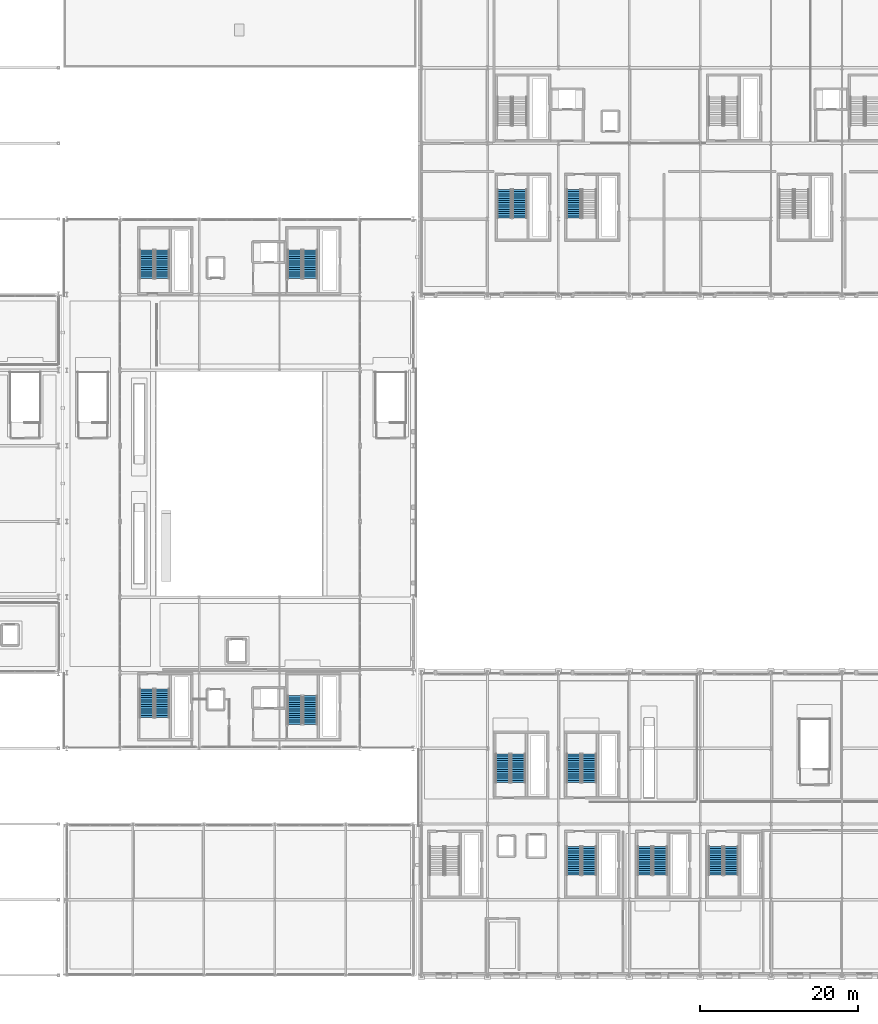
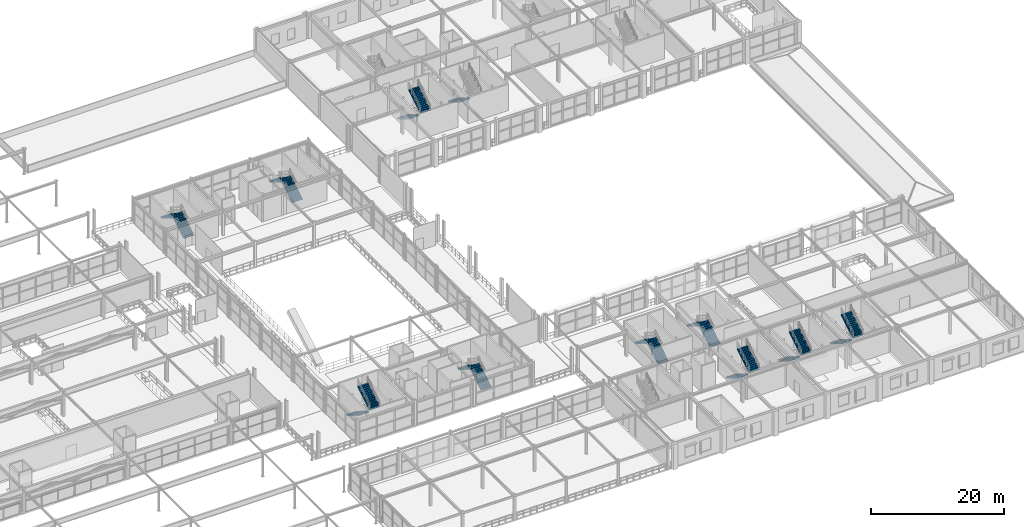
# One storey, part 84 of 125: 21 stair flights, 11 elements without a shape of their own.
"""IFC4 building model written with IfcOpenShell, lengths in metres."""

from ifc_helpers import new_model, si_unit, direction, frame, origin, place, context, subcontext, project, spatial, polyline, outline, extrude, material, type_object, element, aggregate, save


model = new_model("IFC4")

# Units and contexts
model_context = context("Model", 3, precision=1e-05, world=origin(), true_north=direction((0.0, 1.0)))
body_context = subcontext(model_context, "Body", "Model", "MODEL_VIEW")
ifc_project = project(units=[si_unit("LENGTHUNIT", "METRE"), si_unit("AREAUNIT", "SQUARE_METRE"), si_unit("VOLUMEUNIT", "CUBIC_METRE"), si_unit("PLANEANGLEUNIT", "RADIAN"), si_unit("MASSUNIT", "GRAM", prefix="KILO")], contexts=[model_context])

# Site, building, storey
site_placement = place(None, origin())
site = spatial("IfcSite", under=ifc_project, at=site_placement, CompositionType="ELEMENT")
building_placement = place(site_placement, origin())
building = spatial("IfcBuilding", under=site, at=building_placement, Name="Myrtia Square Station", CompositionType="ELEMENT")
storey_placement = place(building_placement, frame((0.0, 0.0, 6.0)))
storey = spatial("IfcBuildingStorey", under=building, at=storey_placement, Name="L01", CompositionType="ELEMENT", Elevation=6.0)

# Stair, stair flights
ifc_material = material(Name="Concrete C35/45", Category="concrete")
stair_type = type_object("IfcStairType", Name="STR-03-28R-1800W", PredefinedType="HALF_TURN_STAIR", material=ifc_material)
stair_1_placement = place(storey_placement, origin())
stair_1 = element("IfcStair", 1, at=stair_1_placement, inside=storey, type_object=stair_type, Name="L01 Core escape stair ST01", PredefinedType="HALF_TURN_STAIR")
stair_flight_type = type_object("IfcStairFlightType", Name="STF-03-14R-1800W", PredefinedType="STRAIGHT", material=ifc_material)
stair_flight_1_placement = place(storey_placement, frame((82.75, 36.35009765625, 0.0), z_axis=(0.0, 0.0, 1.0), x_axis=(0.0, -1.0, 0.0)))
stair_flight_1 = element("IfcStairFlight", 2, at=stair_flight_1_placement, type_object=stair_flight_type, Name="ST01 flight 1", NumberOfRisers=14, NumberOfTreads=13, PredefinedType="STRAIGHT", RiserHeight=0.171428571, TreadLength=0.28, context=body_context, shape_type="SweptSolid", body=[
    extrude(outline(polyline([(0.0, 0.0), (0.0, 0.17138671875), (0.280029296875, 0.17138671875), (0.280029296875, 0.3427734375), (0.56005859375, 0.3427734375), (0.56005859375, 0.514404296875), (0.840087890625, 0.514404296875), (0.840087890625, 0.685791015625), (1.1201171875, 0.685791015625), (1.1201171875, 0.857177734375), (1.39990234375, 0.857177734375), (1.39990234375, 1.028564453125), (1.679931640625, 1.028564453125), (1.679931640625, 1.199951171875), (1.9599609375, 1.199951171875), (1.9599609375, 1.371337890625), (2.239990234375, 1.371337890625), (2.239990234375, 1.54296875), (2.52001953125, 1.54296875), (2.52001953125, 1.71435546875), (2.800048828125, 1.71435546875), (2.800048828125, 1.8857421875), (3.080078125, 1.8857421875), (3.080078125, 2.05712890625), (3.360107421875, 2.05712890625), (3.360107421875, 2.228515625), (3.639892578125, 2.228515625), (3.639892578125, 2.39990234375), (3.639892578125, 2.052734375), (0.287109375, 0.0), (0.0, 0.0)])), frame((0.0, 0.89990234375, 0.0), z_axis=(0.0, -1.0, 0.0), x_axis=(1.0, 0.0, 0.0)), (0.0, 0.0, 1.0), 1.800048828125),
])
stair_flight_2_placement = place(storey_placement, frame((84.7099609375, 32.7099609375, 2.39990234375), z_axis=(0.0, 0.0, 1.0), x_axis=(0.0, 1.0, 0.0)))
stair_flight_2 = element("IfcStairFlight", 3, at=stair_flight_2_placement, type_object=stair_flight_type, Name="ST01 flight 2", NumberOfRisers=14, NumberOfTreads=13, PredefinedType="STRAIGHT", RiserHeight=0.171428571, TreadLength=0.28, context=body_context, shape_type="SweptSolid", body=[
    extrude(outline(polyline([(0.0, 0.0), (0.0, 0.17138671875), (0.280029296875, 0.17138671875), (0.280029296875, 0.3427734375), (0.56005859375, 0.3427734375), (0.56005859375, 0.514404296875), (0.840087890625, 0.514404296875), (0.840087890625, 0.685791015625), (1.1201171875, 0.685791015625), (1.1201171875, 0.857177734375), (1.39990234375, 0.857177734375), (1.39990234375, 1.028564453125), (1.679931640625, 1.028564453125), (1.679931640625, 1.199951171875), (1.9599609375, 1.199951171875), (1.9599609375, 1.371337890625), (2.239990234375, 1.371337890625), (2.239990234375, 1.54296875), (2.52001953125, 1.54296875), (2.52001953125, 1.71435546875), (2.800048828125, 1.71435546875), (2.800048828125, 1.8857421875), (3.080078125, 1.8857421875), (3.080078125, 2.05712890625), (3.360107421875, 2.05712890625), (3.360107421875, 2.228515625), (3.639892578125, 2.228515625), (3.639892578125, 2.39990234375), (3.639892578125, 2.052734375), (0.287109375, 0.0), (0.0, 0.0)])), frame((0.0, 0.89990234375, 0.0), z_axis=(0.0, -1.0, 0.0), x_axis=(1.0, 0.0, 0.0)), (0.0, 0.0, 1.0), 1.800048828125),
])
aggregate(stair_1, [stair_flight_1, stair_flight_2])

stair_2_placement = place(storey_placement, origin())
stair_2 = element("IfcStair", 4, at=stair_2_placement, inside=storey, type_object=stair_type, Name="L01 Core escape stair ST02", PredefinedType="HALF_TURN_STAIR")
stair_flight_3_placement = place(storey_placement, frame((84.7099609375, 88.449951171875, 0.0), z_axis=(0.0, 0.0, 1.0), x_axis=(0.0, 1.0, 0.0)))
stair_flight_3 = element("IfcStairFlight", 5, at=stair_flight_3_placement, type_object=stair_flight_type, Name="ST02 flight 1", NumberOfRisers=14, NumberOfTreads=13, PredefinedType="STRAIGHT", RiserHeight=0.171428571, TreadLength=0.28, context=body_context, shape_type="SweptSolid", body=[
    extrude(outline(polyline([(0.0, 0.0), (0.0, 0.17138671875), (0.280029296875, 0.17138671875), (0.280029296875, 0.3427734375), (0.56005859375, 0.3427734375), (0.56005859375, 0.514404296875), (0.840087890625, 0.514404296875), (0.840087890625, 0.685791015625), (1.1201171875, 0.685791015625), (1.1201171875, 0.857177734375), (1.39990234375, 0.857177734375), (1.39990234375, 1.028564453125), (1.679931640625, 1.028564453125), (1.679931640625, 1.199951171875), (1.9599609375, 1.199951171875), (1.9599609375, 1.371337890625), (2.239990234375, 1.371337890625), (2.239990234375, 1.54296875), (2.52001953125, 1.54296875), (2.52001953125, 1.71435546875), (2.800048828125, 1.71435546875), (2.800048828125, 1.8857421875), (3.080078125, 1.8857421875), (3.080078125, 2.05712890625), (3.360107421875, 2.05712890625), (3.360107421875, 2.228515625), (3.639892578125, 2.228515625), (3.639892578125, 2.39990234375), (3.639892578125, 2.052734375), (0.287109375, 0.0), (0.0, 0.0)])), frame((0.0, 0.89990234375, 0.0), z_axis=(0.0, -1.0, 0.0), x_axis=(1.0, 0.0, 0.0)), (0.0, 0.0, 1.0), 1.800048828125),
])
stair_flight_4_placement = place(storey_placement, frame((82.75, 92.090087890625, 2.39990234375), z_axis=(0.0, 0.0, 1.0), x_axis=(0.0, -1.0, 0.0)))
stair_flight_4 = element("IfcStairFlight", 6, at=stair_flight_4_placement, type_object=stair_flight_type, Name="ST02 flight 2", NumberOfRisers=14, NumberOfTreads=13, PredefinedType="STRAIGHT", RiserHeight=0.171428571, TreadLength=0.28, context=body_context, shape_type="SweptSolid", body=[
    extrude(outline(polyline([(0.0, 0.0), (0.0, 0.17138671875), (0.280029296875, 0.17138671875), (0.280029296875, 0.3427734375), (0.56005859375, 0.3427734375), (0.56005859375, 0.514404296875), (0.840087890625, 0.514404296875), (0.840087890625, 0.685791015625), (1.1201171875, 0.685791015625), (1.1201171875, 0.857177734375), (1.39990234375, 0.857177734375), (1.39990234375, 1.028564453125), (1.679931640625, 1.028564453125), (1.679931640625, 1.199951171875), (1.9599609375, 1.199951171875), (1.9599609375, 1.371337890625), (2.239990234375, 1.371337890625), (2.239990234375, 1.54296875), (2.52001953125, 1.54296875), (2.52001953125, 1.71435546875), (2.800048828125, 1.71435546875), (2.800048828125, 1.8857421875), (3.080078125, 1.8857421875), (3.080078125, 2.05712890625), (3.360107421875, 2.05712890625), (3.360107421875, 2.228515625), (3.639892578125, 2.228515625), (3.639892578125, 2.39990234375), (3.639892578125, 2.052734375), (0.287109375, 0.0), (0.0, 0.0)])), frame((0.0, 0.89990234375, 0.0), z_axis=(0.0, -1.0, 0.0), x_axis=(1.0, 0.0, 0.0)), (0.0, 0.0, 1.0), 1.800048828125),
])
aggregate(stair_2, [stair_flight_3, stair_flight_4])

stair_3_placement = place(storey_placement, origin())
stair_3 = element("IfcStair", 7, at=stair_3_placement, inside=storey, type_object=stair_type, Name="L01 Core escape stair ST03", PredefinedType="HALF_TURN_STAIR")
stair_flight_5_placement = place(storey_placement, frame((103.510009765625, 31.85009765625, 0.0), z_axis=(0.0, 0.0, 1.0), x_axis=(0.0, 1.0, 0.0)))
stair_flight_5 = element("IfcStairFlight", 8, at=stair_flight_5_placement, type_object=stair_flight_type, Name="ST03 flight 1", NumberOfRisers=14, NumberOfTreads=13, PredefinedType="STRAIGHT", RiserHeight=0.171428571, TreadLength=0.28, context=body_context, shape_type="SweptSolid", body=[
    extrude(outline(polyline([(0.0, 0.0), (0.0, 0.17138671875), (0.280029296875, 0.17138671875), (0.280029296875, 0.3427734375), (0.56005859375, 0.3427734375), (0.56005859375, 0.514404296875), (0.840087890625, 0.514404296875), (0.840087890625, 0.685791015625), (1.1201171875, 0.685791015625), (1.1201171875, 0.857177734375), (1.39990234375, 0.857177734375), (1.39990234375, 1.028564453125), (1.679931640625, 1.028564453125), (1.679931640625, 1.199951171875), (1.9599609375, 1.199951171875), (1.9599609375, 1.371337890625), (2.239990234375, 1.371337890625), (2.239990234375, 1.54296875), (2.52001953125, 1.54296875), (2.52001953125, 1.71435546875), (2.800048828125, 1.71435546875), (2.800048828125, 1.8857421875), (3.080078125, 1.8857421875), (3.080078125, 2.05712890625), (3.360107421875, 2.05712890625), (3.360107421875, 2.228515625), (3.639892578125, 2.228515625), (3.639892578125, 2.39990234375), (3.639892578125, 2.052734375), (0.287109375, 0.0), (0.0, 0.0)])), frame((0.0, 0.89990234375, 0.0), z_axis=(0.0, -1.0, 0.0), x_axis=(1.0, 0.0, 0.0)), (0.0, 0.0, 1.0), 1.800048828125),
])
stair_flight_6_placement = place(storey_placement, frame((101.550048828125, 35.489990234375, 2.39990234375), z_axis=(0.0, 0.0, 1.0), x_axis=(0.0, -1.0, 0.0)))
stair_flight_6 = element("IfcStairFlight", 9, at=stair_flight_6_placement, type_object=stair_flight_type, Name="ST03 flight 2", NumberOfRisers=14, NumberOfTreads=13, PredefinedType="STRAIGHT", RiserHeight=0.171428571, TreadLength=0.28, context=body_context, shape_type="SweptSolid", body=[
    extrude(outline(polyline([(0.0, 0.0), (0.0, 0.17138671875), (0.280029296875, 0.17138671875), (0.280029296875, 0.3427734375), (0.56005859375, 0.3427734375), (0.56005859375, 0.514404296875), (0.840087890625, 0.514404296875), (0.840087890625, 0.685791015625), (1.1201171875, 0.685791015625), (1.1201171875, 0.857177734375), (1.39990234375, 0.857177734375), (1.39990234375, 1.028564453125), (1.679931640625, 1.028564453125), (1.679931640625, 1.199951171875), (1.9599609375, 1.199951171875), (1.9599609375, 1.371337890625), (2.239990234375, 1.371337890625), (2.239990234375, 1.54296875), (2.52001953125, 1.54296875), (2.52001953125, 1.71435546875), (2.800048828125, 1.71435546875), (2.800048828125, 1.8857421875), (3.080078125, 1.8857421875), (3.080078125, 2.05712890625), (3.360107421875, 2.05712890625), (3.360107421875, 2.228515625), (3.639892578125, 2.228515625), (3.639892578125, 2.39990234375), (3.639892578125, 2.052734375), (0.287109375, 0.0), (0.0, 0.0)])), frame((0.0, 0.89990234375, 0.0), z_axis=(0.0, -1.0, 0.0), x_axis=(1.0, 0.0, 0.0)), (0.0, 0.0, 1.0), 1.800048828125),
])
aggregate(stair_3, [stair_flight_5, stair_flight_6])

stair_4_placement = place(storey_placement, origin())
stair_4 = element("IfcStair", 10, at=stair_4_placement, inside=storey, type_object=stair_type, Name="L01 Core escape stair ST04", PredefinedType="HALF_TURN_STAIR")
stair_flight_7_placement = place(storey_placement, frame((103.510009765625, 88.449951171875, 0.0), z_axis=(0.0, 0.0, 1.0), x_axis=(0.0, 1.0, 0.0)))
stair_flight_7 = element("IfcStairFlight", 11, at=stair_flight_7_placement, type_object=stair_flight_type, Name="ST04 flight 1", NumberOfRisers=14, NumberOfTreads=13, PredefinedType="STRAIGHT", RiserHeight=0.171428571, TreadLength=0.28, context=body_context, shape_type="SweptSolid", body=[
    extrude(outline(polyline([(0.0, 0.0), (0.0, 0.17138671875), (0.280029296875, 0.17138671875), (0.280029296875, 0.3427734375), (0.56005859375, 0.3427734375), (0.56005859375, 0.514404296875), (0.840087890625, 0.514404296875), (0.840087890625, 0.685791015625), (1.1201171875, 0.685791015625), (1.1201171875, 0.857177734375), (1.39990234375, 0.857177734375), (1.39990234375, 1.028564453125), (1.679931640625, 1.028564453125), (1.679931640625, 1.199951171875), (1.9599609375, 1.199951171875), (1.9599609375, 1.371337890625), (2.239990234375, 1.371337890625), (2.239990234375, 1.54296875), (2.52001953125, 1.54296875), (2.52001953125, 1.71435546875), (2.800048828125, 1.71435546875), (2.800048828125, 1.8857421875), (3.080078125, 1.8857421875), (3.080078125, 2.05712890625), (3.360107421875, 2.05712890625), (3.360107421875, 2.228515625), (3.639892578125, 2.228515625), (3.639892578125, 2.39990234375), (3.639892578125, 2.052734375), (0.287109375, 0.0), (0.0, 0.0)])), frame((0.0, 0.89990234375, 0.0), z_axis=(0.0, -1.0, 0.0), x_axis=(1.0, 0.0, 0.0)), (0.0, 0.0, 1.0), 1.800048828125),
])
stair_flight_8_placement = place(storey_placement, frame((101.550048828125, 92.090087890625, 2.39990234375), z_axis=(0.0, 0.0, 1.0), x_axis=(0.0, -1.0, 0.0)))
stair_flight_8 = element("IfcStairFlight", 12, at=stair_flight_8_placement, type_object=stair_flight_type, Name="ST04 flight 2", NumberOfRisers=14, NumberOfTreads=13, PredefinedType="STRAIGHT", RiserHeight=0.171428571, TreadLength=0.28, context=body_context, shape_type="SweptSolid", body=[
    extrude(outline(polyline([(0.0, 0.0), (0.0, 0.17138671875), (0.280029296875, 0.17138671875), (0.280029296875, 0.3427734375), (0.56005859375, 0.3427734375), (0.56005859375, 0.514404296875), (0.840087890625, 0.514404296875), (0.840087890625, 0.685791015625), (1.1201171875, 0.685791015625), (1.1201171875, 0.857177734375), (1.39990234375, 0.857177734375), (1.39990234375, 1.028564453125), (1.679931640625, 1.028564453125), (1.679931640625, 1.199951171875), (1.9599609375, 1.199951171875), (1.9599609375, 1.371337890625), (2.239990234375, 1.371337890625), (2.239990234375, 1.54296875), (2.52001953125, 1.54296875), (2.52001953125, 1.71435546875), (2.800048828125, 1.71435546875), (2.800048828125, 1.8857421875), (3.080078125, 1.8857421875), (3.080078125, 2.05712890625), (3.360107421875, 2.05712890625), (3.360107421875, 2.228515625), (3.639892578125, 2.228515625), (3.639892578125, 2.39990234375), (3.639892578125, 2.052734375), (0.287109375, 0.0), (0.0, 0.0)])), frame((0.0, 0.89990234375, 0.0), z_axis=(0.0, -1.0, 0.0), x_axis=(1.0, 0.0, 0.0)), (0.0, 0.0, 1.0), 1.800048828125),
])
aggregate(stair_4, [stair_flight_7, stair_flight_8])

stair_5_placement = place(storey_placement, origin())
stair_5 = element("IfcStair", 13, at=stair_5_placement, inside=storey, type_object=stair_type, Name="L01 Core escape stair ST06", PredefinedType="HALF_TURN_STAIR")
stair_flight_9_placement = place(storey_placement, frame((136.949951171875, 16.35009765625, 0.0), z_axis=(0.0, 0.0, 1.0), x_axis=(0.0, -1.0, 0.0)))
stair_flight_9 = element("IfcStairFlight", 14, at=stair_flight_9_placement, type_object=stair_flight_type, Name="ST06 flight 1", NumberOfRisers=14, NumberOfTreads=13, PredefinedType="STRAIGHT", RiserHeight=0.171428571, TreadLength=0.28, context=body_context, shape_type="SweptSolid", body=[
    extrude(outline(polyline([(0.0, 0.0), (0.0, 0.17138671875), (0.280029296875, 0.17138671875), (0.280029296875, 0.3427734375), (0.56005859375, 0.3427734375), (0.56005859375, 0.514404296875), (0.840087890625, 0.514404296875), (0.840087890625, 0.685791015625), (1.1201171875, 0.685791015625), (1.1201171875, 0.857177734375), (1.39990234375, 0.857177734375), (1.39990234375, 1.028564453125), (1.679931640625, 1.028564453125), (1.679931640625, 1.199951171875), (1.9599609375, 1.199951171875), (1.9599609375, 1.371337890625), (2.239990234375, 1.371337890625), (2.239990234375, 1.54296875), (2.52001953125, 1.54296875), (2.52001953125, 1.71435546875), (2.800048828125, 1.71435546875), (2.800048828125, 1.8857421875), (3.080078125, 1.8857421875), (3.080078125, 2.05712890625), (3.360107421875, 2.05712890625), (3.360107421875, 2.228515625), (3.639892578125, 2.228515625), (3.639892578125, 2.39990234375), (3.639892578125, 2.052734375), (0.287109375, 0.0), (0.0, 0.0)])), frame((0.0, 0.89990234375, 0.0), z_axis=(0.0, -1.0, 0.0), x_axis=(1.0, 0.0, 0.0)), (0.0, 0.0, 1.0), 1.800048828125),
])
stair_flight_10_placement = place(storey_placement, frame((138.909912109375, 12.7099609375, 2.39990234375), z_axis=(0.0, 0.0, 1.0), x_axis=(0.0, 1.0, 0.0)))
stair_flight_10 = element("IfcStairFlight", 15, at=stair_flight_10_placement, type_object=stair_flight_type, Name="ST06 flight 2", NumberOfRisers=14, NumberOfTreads=13, PredefinedType="STRAIGHT", RiserHeight=0.171428571, TreadLength=0.28, context=body_context, shape_type="SweptSolid", body=[
    extrude(outline(polyline([(0.0, 0.0), (0.0, 0.17138671875), (0.280029296875, 0.17138671875), (0.280029296875, 0.3427734375), (0.56005859375, 0.3427734375), (0.56005859375, 0.514404296875), (0.840087890625, 0.514404296875), (0.840087890625, 0.685791015625), (1.1201171875, 0.685791015625), (1.1201171875, 0.857177734375), (1.39990234375, 0.857177734375), (1.39990234375, 1.028564453125), (1.679931640625, 1.028564453125), (1.679931640625, 1.199951171875), (1.9599609375, 1.199951171875), (1.9599609375, 1.371337890625), (2.239990234375, 1.371337890625), (2.239990234375, 1.54296875), (2.52001953125, 1.54296875), (2.52001953125, 1.71435546875), (2.800048828125, 1.71435546875), (2.800048828125, 1.8857421875), (3.080078125, 1.8857421875), (3.080078125, 2.05712890625), (3.360107421875, 2.05712890625), (3.360107421875, 2.228515625), (3.639892578125, 2.228515625), (3.639892578125, 2.39990234375), (3.639892578125, 2.052734375), (0.287109375, 0.0), (0.0, 0.0)])), frame((0.0, 0.89990234375, 0.0), z_axis=(0.0, -1.0, 0.0), x_axis=(1.0, 0.0, 0.0)), (0.0, 0.0, 1.0), 1.800048828125),
])
aggregate(stair_5, [stair_flight_9, stair_flight_10])

stair_6_placement = place(storey_placement, origin())
stair_6 = element("IfcStair", 16, at=stair_6_placement, inside=storey, type_object=stair_type, Name="L01 Core escape stair ST09", PredefinedType="HALF_TURN_STAIR")
stair_flight_11_placement = place(storey_placement, frame((138.909912109375, 24.449951171875, 0.0), z_axis=(0.0, 0.0, 1.0), x_axis=(0.0, 1.0, 0.0)))
stair_flight_11 = element("IfcStairFlight", 17, at=stair_flight_11_placement, type_object=stair_flight_type, Name="ST09 flight 1", NumberOfRisers=14, NumberOfTreads=13, PredefinedType="STRAIGHT", RiserHeight=0.171428571, TreadLength=0.28, context=body_context, shape_type="SweptSolid", body=[
    extrude(outline(polyline([(0.0, 0.0), (0.0, 0.17138671875), (0.280029296875, 0.17138671875), (0.280029296875, 0.3427734375), (0.56005859375, 0.3427734375), (0.56005859375, 0.514404296875), (0.840087890625, 0.514404296875), (0.840087890625, 0.685791015625), (1.1201171875, 0.685791015625), (1.1201171875, 0.857177734375), (1.39990234375, 0.857177734375), (1.39990234375, 1.028564453125), (1.679931640625, 1.028564453125), (1.679931640625, 1.199951171875), (1.9599609375, 1.199951171875), (1.9599609375, 1.371337890625), (2.239990234375, 1.371337890625), (2.239990234375, 1.54296875), (2.52001953125, 1.54296875), (2.52001953125, 1.71435546875), (2.800048828125, 1.71435546875), (2.800048828125, 1.8857421875), (3.080078125, 1.8857421875), (3.080078125, 2.05712890625), (3.360107421875, 2.05712890625), (3.360107421875, 2.228515625), (3.639892578125, 2.228515625), (3.639892578125, 2.39990234375), (3.639892578125, 2.052734375), (0.287109375, 0.0), (0.0, 0.0)])), frame((0.0, 0.89990234375, 0.0), z_axis=(0.0, -1.0, 0.0), x_axis=(1.0, 0.0, 0.0)), (0.0, 0.0, 1.0), 1.800048828125),
])
stair_flight_12_placement = place(storey_placement, frame((136.949951171875, 28.090087890625, 2.39990234375), z_axis=(0.0, 0.0, 1.0), x_axis=(0.0, -1.0, 0.0)))
stair_flight_12 = element("IfcStairFlight", 18, at=stair_flight_12_placement, type_object=stair_flight_type, Name="ST09 flight 2", NumberOfRisers=14, NumberOfTreads=13, PredefinedType="STRAIGHT", RiserHeight=0.171428571, TreadLength=0.28, context=body_context, shape_type="SweptSolid", body=[
    extrude(outline(polyline([(0.0, 0.0), (0.0, 0.17138671875), (0.280029296875, 0.17138671875), (0.280029296875, 0.3427734375), (0.56005859375, 0.3427734375), (0.56005859375, 0.514404296875), (0.840087890625, 0.514404296875), (0.840087890625, 0.685791015625), (1.1201171875, 0.685791015625), (1.1201171875, 0.857177734375), (1.39990234375, 0.857177734375), (1.39990234375, 1.028564453125), (1.679931640625, 1.028564453125), (1.679931640625, 1.199951171875), (1.9599609375, 1.199951171875), (1.9599609375, 1.371337890625), (2.239990234375, 1.371337890625), (2.239990234375, 1.54296875), (2.52001953125, 1.54296875), (2.52001953125, 1.71435546875), (2.800048828125, 1.71435546875), (2.800048828125, 1.8857421875), (3.080078125, 1.8857421875), (3.080078125, 2.05712890625), (3.360107421875, 2.05712890625), (3.360107421875, 2.228515625), (3.639892578125, 2.228515625), (3.639892578125, 2.39990234375), (3.639892578125, 2.052734375), (0.287109375, 0.0), (0.0, 0.0)])), frame((0.0, 0.89990234375, 0.0), z_axis=(0.0, -1.0, 0.0), x_axis=(1.0, 0.0, 0.0)), (0.0, 0.0, 1.0), 1.800048828125),
])
aggregate(stair_6, [stair_flight_11, stair_flight_12])

stair_7_placement = place(storey_placement, origin())
stair_7 = element("IfcStair", 19, at=stair_7_placement, inside=storey, type_object=stair_type, Name="L01 Core escape stair ST10", PredefinedType="HALF_TURN_STAIR")
stair_flight_13_placement = place(storey_placement, frame((129.909912109375, 24.449951171875, 0.0), z_axis=(0.0, 0.0, 1.0), x_axis=(0.0, 1.0, 0.0)))
stair_flight_13 = element("IfcStairFlight", 20, at=stair_flight_13_placement, type_object=stair_flight_type, Name="ST10 flight 1", NumberOfRisers=14, NumberOfTreads=13, PredefinedType="STRAIGHT", RiserHeight=0.171428571, TreadLength=0.28, context=body_context, shape_type="SweptSolid", body=[
    extrude(outline(polyline([(0.0, 0.0), (0.0, 0.17138671875), (0.280029296875, 0.17138671875), (0.280029296875, 0.3427734375), (0.56005859375, 0.3427734375), (0.56005859375, 0.514404296875), (0.840087890625, 0.514404296875), (0.840087890625, 0.685791015625), (1.1201171875, 0.685791015625), (1.1201171875, 0.857177734375), (1.39990234375, 0.857177734375), (1.39990234375, 1.028564453125), (1.679931640625, 1.028564453125), (1.679931640625, 1.199951171875), (1.9599609375, 1.199951171875), (1.9599609375, 1.371337890625), (2.239990234375, 1.371337890625), (2.239990234375, 1.54296875), (2.52001953125, 1.54296875), (2.52001953125, 1.71435546875), (2.800048828125, 1.71435546875), (2.800048828125, 1.8857421875), (3.080078125, 1.8857421875), (3.080078125, 2.05712890625), (3.360107421875, 2.05712890625), (3.360107421875, 2.228515625), (3.639892578125, 2.228515625), (3.639892578125, 2.39990234375), (3.639892578125, 2.052734375), (0.287109375, 0.0), (0.0, 0.0)])), frame((0.0, 0.89990234375, 0.0), z_axis=(0.0, -1.0, 0.0), x_axis=(1.0, 0.0, 0.0)), (0.0, 0.0, 1.0), 1.800048828125),
])
stair_flight_14_placement = place(storey_placement, frame((127.949951171875, 28.090087890625, 2.39990234375), z_axis=(0.0, 0.0, 1.0), x_axis=(0.0, -1.0, 0.0)))
stair_flight_14 = element("IfcStairFlight", 21, at=stair_flight_14_placement, type_object=stair_flight_type, Name="ST10 flight 2", NumberOfRisers=14, NumberOfTreads=13, PredefinedType="STRAIGHT", RiserHeight=0.171428571, TreadLength=0.28, context=body_context, shape_type="SweptSolid", body=[
    extrude(outline(polyline([(0.0, 0.0), (0.0, 0.17138671875), (0.280029296875, 0.17138671875), (0.280029296875, 0.3427734375), (0.56005859375, 0.3427734375), (0.56005859375, 0.514404296875), (0.840087890625, 0.514404296875), (0.840087890625, 0.685791015625), (1.1201171875, 0.685791015625), (1.1201171875, 0.857177734375), (1.39990234375, 0.857177734375), (1.39990234375, 1.028564453125), (1.679931640625, 1.028564453125), (1.679931640625, 1.199951171875), (1.9599609375, 1.199951171875), (1.9599609375, 1.371337890625), (2.239990234375, 1.371337890625), (2.239990234375, 1.54296875), (2.52001953125, 1.54296875), (2.52001953125, 1.71435546875), (2.800048828125, 1.71435546875), (2.800048828125, 1.8857421875), (3.080078125, 1.8857421875), (3.080078125, 2.05712890625), (3.360107421875, 2.05712890625), (3.360107421875, 2.228515625), (3.639892578125, 2.228515625), (3.639892578125, 2.39990234375), (3.639892578125, 2.052734375), (0.287109375, 0.0), (0.0, 0.0)])), frame((0.0, 0.89990234375, 0.0), z_axis=(0.0, -1.0, 0.0), x_axis=(1.0, 0.0, 0.0)), (0.0, 0.0, 1.0), 1.800048828125),
])
aggregate(stair_7, [stair_flight_13, stair_flight_14])

stair_8_placement = place(storey_placement, origin())
stair_8 = element("IfcStair", 22, at=stair_8_placement, inside=storey, type_object=stair_type, Name="L01 Core escape stair ST11", PredefinedType="HALF_TURN_STAIR")
stair_flight_15_placement = place(storey_placement, frame((145.949951171875, 16.35009765625, 0.0), z_axis=(0.0, 0.0, 1.0), x_axis=(0.0, -1.0, 0.0)))
stair_flight_15 = element("IfcStairFlight", 23, at=stair_flight_15_placement, type_object=stair_flight_type, Name="ST11 flight 1", NumberOfRisers=14, NumberOfTreads=13, PredefinedType="STRAIGHT", RiserHeight=0.171428571, TreadLength=0.28, context=body_context, shape_type="SweptSolid", body=[
    extrude(outline(polyline([(0.0, 0.0), (0.0, 0.17138671875), (0.280029296875, 0.17138671875), (0.280029296875, 0.3427734375), (0.56005859375, 0.3427734375), (0.56005859375, 0.514404296875), (0.840087890625, 0.514404296875), (0.840087890625, 0.685791015625), (1.1201171875, 0.685791015625), (1.1201171875, 0.857177734375), (1.39990234375, 0.857177734375), (1.39990234375, 1.028564453125), (1.679931640625, 1.028564453125), (1.679931640625, 1.199951171875), (1.9599609375, 1.199951171875), (1.9599609375, 1.371337890625), (2.239990234375, 1.371337890625), (2.239990234375, 1.54296875), (2.52001953125, 1.54296875), (2.52001953125, 1.71435546875), (2.800048828125, 1.71435546875), (2.800048828125, 1.8857421875), (3.080078125, 1.8857421875), (3.080078125, 2.05712890625), (3.360107421875, 2.05712890625), (3.360107421875, 2.228515625), (3.639892578125, 2.228515625), (3.639892578125, 2.39990234375), (3.639892578125, 2.052734375), (0.287109375, 0.0), (0.0, 0.0)])), frame((0.0, 0.89990234375, 0.0), z_axis=(0.0, -1.0, 0.0), x_axis=(1.0, 0.0, 0.0)), (0.0, 0.0, 1.0), 1.800048828125),
])
stair_flight_16_placement = place(storey_placement, frame((147.909912109375, 12.7099609375, 2.39990234375), z_axis=(0.0, 0.0, 1.0), x_axis=(0.0, 1.0, 0.0)))
stair_flight_16 = element("IfcStairFlight", 24, at=stair_flight_16_placement, type_object=stair_flight_type, Name="ST11 flight 2", NumberOfRisers=14, NumberOfTreads=13, PredefinedType="STRAIGHT", RiserHeight=0.171428571, TreadLength=0.28, context=body_context, shape_type="SweptSolid", body=[
    extrude(outline(polyline([(0.0, 0.0), (0.0, 0.17138671875), (0.280029296875, 0.17138671875), (0.280029296875, 0.3427734375), (0.56005859375, 0.3427734375), (0.56005859375, 0.514404296875), (0.840087890625, 0.514404296875), (0.840087890625, 0.685791015625), (1.1201171875, 0.685791015625), (1.1201171875, 0.857177734375), (1.39990234375, 0.857177734375), (1.39990234375, 1.028564453125), (1.679931640625, 1.028564453125), (1.679931640625, 1.199951171875), (1.9599609375, 1.199951171875), (1.9599609375, 1.371337890625), (2.239990234375, 1.371337890625), (2.239990234375, 1.54296875), (2.52001953125, 1.54296875), (2.52001953125, 1.71435546875), (2.800048828125, 1.71435546875), (2.800048828125, 1.8857421875), (3.080078125, 1.8857421875), (3.080078125, 2.05712890625), (3.360107421875, 2.05712890625), (3.360107421875, 2.228515625), (3.639892578125, 2.228515625), (3.639892578125, 2.39990234375), (3.639892578125, 2.052734375), (0.287109375, 0.0), (0.0, 0.0)])), frame((0.0, 0.89990234375, 0.0), z_axis=(0.0, -1.0, 0.0), x_axis=(1.0, 0.0, 0.0)), (0.0, 0.0, 1.0), 1.800048828125),
])
aggregate(stair_8, [stair_flight_15, stair_flight_16])

stair_9_placement = place(storey_placement, origin())
stair_9 = element("IfcStair", 25, at=stair_9_placement, inside=storey, type_object=stair_type, Name="L01 Core escape stair ST14", PredefinedType="HALF_TURN_STAIR")
stair_flight_17_placement = place(storey_placement, frame((154.949951171875, 16.35009765625, 0.0), z_axis=(0.0, 0.0, 1.0), x_axis=(0.0, -1.0, 0.0)))
stair_flight_17 = element("IfcStairFlight", 26, at=stair_flight_17_placement, type_object=stair_flight_type, Name="ST14 flight 1", NumberOfRisers=14, NumberOfTreads=13, PredefinedType="STRAIGHT", RiserHeight=0.171428571, TreadLength=0.28, context=body_context, shape_type="SweptSolid", body=[
    extrude(outline(polyline([(0.0, 0.0), (0.0, 0.17138671875), (0.280029296875, 0.17138671875), (0.280029296875, 0.3427734375), (0.56005859375, 0.3427734375), (0.56005859375, 0.514404296875), (0.840087890625, 0.514404296875), (0.840087890625, 0.685791015625), (1.1201171875, 0.685791015625), (1.1201171875, 0.857177734375), (1.39990234375, 0.857177734375), (1.39990234375, 1.028564453125), (1.679931640625, 1.028564453125), (1.679931640625, 1.199951171875), (1.9599609375, 1.199951171875), (1.9599609375, 1.371337890625), (2.239990234375, 1.371337890625), (2.239990234375, 1.54296875), (2.52001953125, 1.54296875), (2.52001953125, 1.71435546875), (2.800048828125, 1.71435546875), (2.800048828125, 1.8857421875), (3.080078125, 1.8857421875), (3.080078125, 2.05712890625), (3.360107421875, 2.05712890625), (3.360107421875, 2.228515625), (3.639892578125, 2.228515625), (3.639892578125, 2.39990234375), (3.639892578125, 2.052734375), (0.287109375, 0.0), (0.0, 0.0)])), frame((0.0, 0.89990234375, 0.0), z_axis=(0.0, -1.0, 0.0), x_axis=(1.0, 0.0, 0.0)), (0.0, 0.0, 1.0), 1.800048828125),
])
stair_flight_18_placement = place(storey_placement, frame((156.909912109375, 12.7099609375, 2.39990234375), z_axis=(0.0, 0.0, 1.0), x_axis=(0.0, 1.0, 0.0)))
stair_flight_18 = element("IfcStairFlight", 27, at=stair_flight_18_placement, type_object=stair_flight_type, Name="ST14 flight 2", NumberOfRisers=14, NumberOfTreads=13, PredefinedType="STRAIGHT", RiserHeight=0.171428571, TreadLength=0.28, context=body_context, shape_type="SweptSolid", body=[
    extrude(outline(polyline([(0.0, 0.0), (0.0, 0.17138671875), (0.280029296875, 0.17138671875), (0.280029296875, 0.3427734375), (0.56005859375, 0.3427734375), (0.56005859375, 0.514404296875), (0.840087890625, 0.514404296875), (0.840087890625, 0.685791015625), (1.1201171875, 0.685791015625), (1.1201171875, 0.857177734375), (1.39990234375, 0.857177734375), (1.39990234375, 1.028564453125), (1.679931640625, 1.028564453125), (1.679931640625, 1.199951171875), (1.9599609375, 1.199951171875), (1.9599609375, 1.371337890625), (2.239990234375, 1.371337890625), (2.239990234375, 1.54296875), (2.52001953125, 1.54296875), (2.52001953125, 1.71435546875), (2.800048828125, 1.71435546875), (2.800048828125, 1.8857421875), (3.080078125, 1.8857421875), (3.080078125, 2.05712890625), (3.360107421875, 2.05712890625), (3.360107421875, 2.228515625), (3.639892578125, 2.228515625), (3.639892578125, 2.39990234375), (3.639892578125, 2.052734375), (0.287109375, 0.0), (0.0, 0.0)])), frame((0.0, 0.89990234375, 0.0), z_axis=(0.0, -1.0, 0.0), x_axis=(1.0, 0.0, 0.0)), (0.0, 0.0, 1.0), 1.800048828125),
])
aggregate(stair_9, [stair_flight_17, stair_flight_18])

stair_10_placement = place(storey_placement, origin())
stair_10 = element("IfcStair", 28, at=stair_10_placement, inside=storey, type_object=stair_type, Name="L01 Core escape stair ST12", PredefinedType="HALF_TURN_STAIR")
stair_flight_19_placement = place(storey_placement, frame((128.14990234375, 99.75, 0.0), z_axis=(0.0, 0.0, 1.0), x_axis=(0.0, -1.0, 0.0)))
stair_flight_19 = element("IfcStairFlight", 29, at=stair_flight_19_placement, type_object=stair_flight_type, Name="ST12 flight 1", NumberOfRisers=14, NumberOfTreads=13, PredefinedType="STRAIGHT", RiserHeight=0.171428571, TreadLength=0.28, context=body_context, shape_type="SweptSolid", body=[
    extrude(outline(polyline([(0.0, 0.0), (0.0, 0.17138671875), (0.280029296875, 0.17138671875), (0.280029296875, 0.3427734375), (0.56005859375, 0.3427734375), (0.56005859375, 0.514404296875), (0.840087890625, 0.514404296875), (0.840087890625, 0.685791015625), (1.1201171875, 0.685791015625), (1.1201171875, 0.857177734375), (1.39990234375, 0.857177734375), (1.39990234375, 1.028564453125), (1.679931640625, 1.028564453125), (1.679931640625, 1.199951171875), (1.9599609375, 1.199951171875), (1.9599609375, 1.371337890625), (2.239990234375, 1.371337890625), (2.239990234375, 1.54296875), (2.52001953125, 1.54296875), (2.52001953125, 1.71435546875), (2.800048828125, 1.71435546875), (2.800048828125, 1.8857421875), (3.080078125, 1.8857421875), (3.080078125, 2.05712890625), (3.360107421875, 2.05712890625), (3.360107421875, 2.228515625), (3.639892578125, 2.228515625), (3.639892578125, 2.39990234375), (3.639892578125, 2.052734375), (0.287109375, 0.0), (0.0, 0.0)])), frame((0.0, 0.89990234375, 0.0), z_axis=(0.0, -1.0, 0.0), x_axis=(1.0, 0.0, 0.0)), (0.0, 0.0, 1.0), 1.800048828125),
])
stair_flight_20_placement = place(storey_placement, frame((130.110107421875, 96.110107421875, 2.39990234375), z_axis=(0.0, 0.0, 1.0), x_axis=(0.0, 1.0, 0.0)))
stair_flight_20 = element("IfcStairFlight", 30, at=stair_flight_20_placement, type_object=stair_flight_type, Name="ST12 flight 2", NumberOfRisers=14, NumberOfTreads=13, PredefinedType="STRAIGHT", RiserHeight=0.171428571, TreadLength=0.28, context=body_context, shape_type="SweptSolid", body=[
    extrude(outline(polyline([(0.0, 0.0), (0.0, 0.17138671875), (0.280029296875, 0.17138671875), (0.280029296875, 0.3427734375), (0.56005859375, 0.3427734375), (0.56005859375, 0.514404296875), (0.840087890625, 0.514404296875), (0.840087890625, 0.685791015625), (1.1201171875, 0.685791015625), (1.1201171875, 0.857177734375), (1.39990234375, 0.857177734375), (1.39990234375, 1.028564453125), (1.679931640625, 1.028564453125), (1.679931640625, 1.199951171875), (1.9599609375, 1.199951171875), (1.9599609375, 1.371337890625), (2.239990234375, 1.371337890625), (2.239990234375, 1.54296875), (2.52001953125, 1.54296875), (2.52001953125, 1.71435546875), (2.800048828125, 1.71435546875), (2.800048828125, 1.8857421875), (3.080078125, 1.8857421875), (3.080078125, 2.05712890625), (3.360107421875, 2.05712890625), (3.360107421875, 2.228515625), (3.639892578125, 2.228515625), (3.639892578125, 2.39990234375), (3.639892578125, 2.052734375), (0.287109375, 0.0), (0.0, 0.0)])), frame((0.0, 0.89990234375, 0.0), z_axis=(0.0, -1.0, 0.0), x_axis=(1.0, 0.0, 0.0)), (0.0, 0.0, 1.0), 1.800048828125),
])
aggregate(stair_10, [stair_flight_19, stair_flight_20])

# Stair, stair flight
stair_11_placement = place(storey_placement, origin())
stair_11 = element("IfcStair", 31, at=stair_11_placement, inside=storey, type_object=stair_type, Name="L01 Core escape stair ST13", PredefinedType="HALF_TURN_STAIR")
stair_flight_21_placement = place(storey_placement, frame((136.949951171875, 99.75, 0.0), z_axis=(0.0, 0.0, 1.0), x_axis=(0.0, -1.0, 0.0)))
stair_flight_21 = element("IfcStairFlight", 32, at=stair_flight_21_placement, type_object=stair_flight_type, Name="ST13 flight 1", NumberOfRisers=14, NumberOfTreads=13, PredefinedType="STRAIGHT", RiserHeight=0.171428571, TreadLength=0.28, context=body_context, shape_type="SweptSolid", body=[
    extrude(outline(polyline([(0.0, 0.0), (0.0, 0.17138671875), (0.280029296875, 0.17138671875), (0.280029296875, 0.3427734375), (0.56005859375, 0.3427734375), (0.56005859375, 0.514404296875), (0.840087890625, 0.514404296875), (0.840087890625, 0.685791015625), (1.1201171875, 0.685791015625), (1.1201171875, 0.857177734375), (1.39990234375, 0.857177734375), (1.39990234375, 1.028564453125), (1.679931640625, 1.028564453125), (1.679931640625, 1.199951171875), (1.9599609375, 1.199951171875), (1.9599609375, 1.371337890625), (2.239990234375, 1.371337890625), (2.239990234375, 1.54296875), (2.52001953125, 1.54296875), (2.52001953125, 1.71435546875), (2.800048828125, 1.71435546875), (2.800048828125, 1.8857421875), (3.080078125, 1.8857421875), (3.080078125, 2.05712890625), (3.360107421875, 2.05712890625), (3.360107421875, 2.228515625), (3.639892578125, 2.228515625), (3.639892578125, 2.39990234375), (3.639892578125, 2.052734375), (0.287109375, 0.0), (0.0, 0.0)])), frame((0.0, 0.89990234375, 0.0), z_axis=(0.0, -1.0, 0.0), x_axis=(1.0, 0.0, 0.0)), (0.0, 0.0, 1.0), 1.800048828125),
])
aggregate(stair_11, [stair_flight_21])

save(model, "model.ifc")
